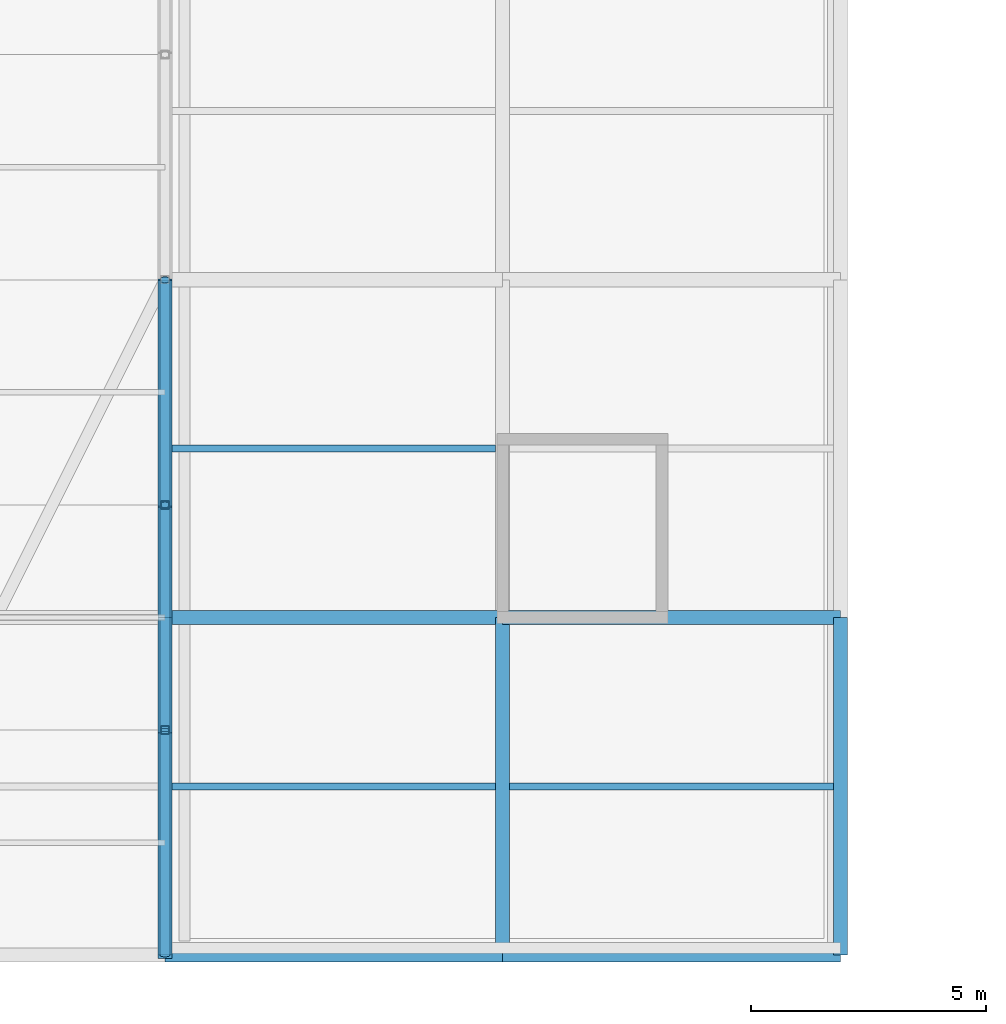
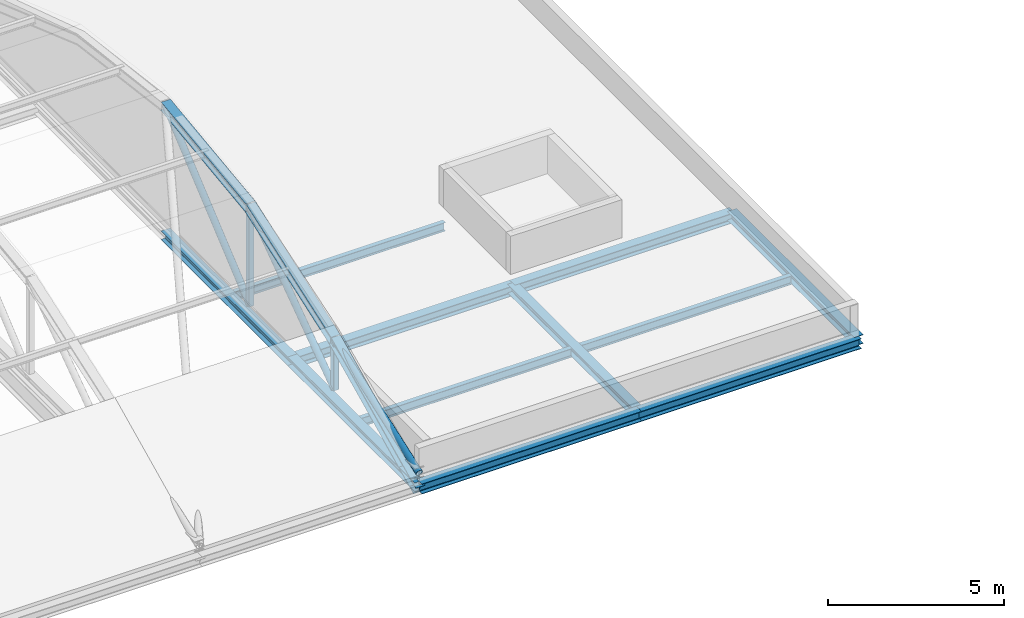
# One storey, part 26 of 103: 11 beams, 8 members.
"""IFC4 building model written with IfcOpenShell, lengths in metres."""

from ifc_helpers import new_model, si_unit, direction, frame, origin, origin_2d, place, context, subcontext, project, spatial, hollow_rectangle, hollow_circle, i_section, extrude, material, material_profile, profile_set, type_object, element, save


model = new_model("IFC4")

# Units and contexts
model_context = context("Model", 3, precision=1e-05, world=origin(), true_north=direction((0.0, 1.0)))
body_context = subcontext(model_context, "Body", "Model", "MODEL_VIEW")
ifc_project = project(units=[si_unit("LENGTHUNIT", "METRE"), si_unit("AREAUNIT", "SQUARE_METRE"), si_unit("VOLUMEUNIT", "CUBIC_METRE"), si_unit("PLANEANGLEUNIT", "RADIAN"), si_unit("MASSUNIT", "GRAM", prefix="KILO")], contexts=[model_context])

# Site, building, storey
site_placement = place(None, origin())
site = spatial("IfcSite", under=ifc_project, at=site_placement, CompositionType="ELEMENT")
building_placement = place(site_placement, origin())
building = spatial("IfcBuilding", under=site, at=building_placement, Name="Zlatovets Crest Museum", CompositionType="ELEMENT")
storey_placement = place(building_placement, frame((0.0, 0.0, 12.89990234375)))
storey = spatial("IfcBuildingStorey", under=building, at=storey_placement, Name="L03", CompositionType="ELEMENT", Elevation=12.89990234375)

# Beams
ifc_material = material(Name="Structural steel S355J2", Category="steel")
ifc_material_profile_1 = material_profile(ifc_material, i_section(OverallWidth=0.300048828125, OverallDepth=0.35009765625, WebThickness=0.010009765625, FlangeThickness=0.017578125, FilletRadius=0.027099609375, at=origin_2d()), Name="HEA 360")
ifc_profile_set_1 = profile_set([ifc_material_profile_1], Name="Structural steel S355J2")
beam_type_1 = type_object("IfcBeamType", Name="Beam_B-03", PredefinedType="BEAM", material=ifc_profile_set_1)
for number, where, z_axis, x_axis, name in (
    (1, (28.800048828125, 0.0, -0.39501953125), (1.0, 0.0, 0.0), (0.0, 1.0, 0.0), "V3 L03 Primary Girder B-03"),
    (2, (36.0, 0.0, -0.39501953125), (1.0, 0.0, 0.0), (0.0, 1.0, 0.0), "V3 L03 Primary Girder B-03"),
    (3, (28.800048828125, 7.199951171875, -0.39501953125), (1.0, 0.0, 0.0), (0.0, 1.0, 0.0), "V3 L03 Primary Girder B-03"),
    (4, (36.0, 7.199951171875, -0.39501953125), (1.0, 0.0, 0.0), (0.0, 1.0, 0.0), "V3 L03 Primary Girder B-03"),
):
    element("IfcBeam", number, at=place(storey_placement, frame(where, z_axis=z_axis, x_axis=x_axis)), inside=storey, type_object=beam_type_1, Name=name, PredefinedType="BEAM", context=body_context, shape_type="SweptSolid", body=[
        extrude(i_section(OverallWidth=0.300048828125, OverallDepth=0.35009765625, WebThickness=0.010009765625, FlangeThickness=0.017578125, FilletRadius=0.027099609375, at=origin_2d()), origin(), (0.0, 0.0, 1.0), 7.199951171875),
    ])
ifc_material_profile_2 = material_profile(ifc_material, i_section(OverallWidth=0.300048828125, OverallDepth=0.31005859375, WebThickness=0.009033203125, FlangeThickness=0.015380859375, FilletRadius=0.027099609375, at=origin_2d()), Name="HEA 320")
ifc_profile_set_2 = profile_set([ifc_material_profile_2], Name="Structural steel S355J2")
beam_type_2 = type_object("IfcBeamType", Name="Beam_B-04", PredefinedType="BEAM", material=ifc_profile_set_2)
for number, where, z_axis, x_axis, name in (
    (5, (28.800048828125, 0.0, -0.375), (0.0, 1.0, 0.0), (-1.0, 0.0, 0.0), "V3 L03 Grid Beam B-04"),
    (6, (28.800048828125, 7.199951171875, -0.375), (0.0, 1.0, 0.0), (-1.0, 0.0, 0.0), "V3 L03 Grid Beam B-04"),
    (7, (36.0, 0.0, -0.375), (0.0, 1.0, 0.0), (-1.0, 0.0, 0.0), "V3 L03 Grid Beam B-04"),
    (8, (43.199951171875, 0.0, -0.375), (0.0, 1.0, 0.0), (-1.0, 0.0, 0.0), "V3 L03 Grid Beam B-04"),
):
    element("IfcBeam", number, at=place(storey_placement, frame(where, z_axis=z_axis, x_axis=x_axis)), inside=storey, type_object=beam_type_2, Name=name, PredefinedType="BEAM", context=body_context, shape_type="SweptSolid", body=[
        extrude(i_section(OverallWidth=0.300048828125, OverallDepth=0.31005859375, WebThickness=0.009033203125, FlangeThickness=0.015380859375, FilletRadius=0.027099609375, at=origin_2d()), origin(), (0.0, 0.0, 1.0), 7.199951171875),
    ])
ifc_material_profile_3 = material_profile(ifc_material, i_section(OverallWidth=0.14990234375, OverallDepth=0.300048828125, WebThickness=0.007080078125, FlangeThickness=0.0107421875, FilletRadius=0.014892578125, at=origin_2d()), Name="IPE 300")
ifc_profile_set_3 = profile_set([ifc_material_profile_3], Name="Structural steel S355J2")
beam_type_3 = type_object("IfcBeamType", Name="Beam_J-02", PredefinedType="JOIST", material=ifc_profile_set_3)
for number, where, z_axis, x_axis, name in (
    (9, (28.949951171875, 3.60009765625, -0.369873046875), (1.0, 0.0, 0.0), (0.0, 1.0, 0.0), "V3 L03 Composite Joist J-02"),
    (10, (28.949951171875, 10.800048828125, -0.369873046875), (1.0, 0.0, 0.0), (0.0, 1.0, 0.0), "V3 L03 Composite Joist J-02"),
    (11, (36.14990234375, 3.60009765625, -0.369873046875), (1.0, 0.0, 0.0), (0.0, 1.0, 0.0), "V3 L03 Composite Joist J-02"),
):
    element("IfcBeam", number, at=place(storey_placement, frame(where, z_axis=z_axis, x_axis=x_axis)), inside=storey, type_object=beam_type_3, Name=name, PredefinedType="JOIST", context=body_context, shape_type="SweptSolid", body=[
        extrude(i_section(OverallWidth=0.14990234375, OverallDepth=0.300048828125, WebThickness=0.007080078125, FlangeThickness=0.0107421875, FilletRadius=0.014892578125, at=origin_2d()), origin(), (0.0, 0.0, 1.0), 6.900146484375),
    ])

# Members
ifc_material_profile_4 = material_profile(ifc_material, i_section(OverallWidth=0.300048828125, OverallDepth=0.31005859375, WebThickness=0.009033203125, FlangeThickness=0.015380859375, FilletRadius=0.027099609375, at=origin_2d()), Name="HEA 320")
ifc_profile_set_4 = profile_set([ifc_material_profile_4], Name="Structural steel S355J2")
member_type_1 = type_object("IfcMemberType", Name="Member_TM-02", PredefinedType="RAFTER", material=ifc_profile_set_4)
member_1_placement = place(storey_placement, frame((28.800048828125, 0.0, -0.5), z_axis=(0.0, 0.901814166789, 0.432124066188), x_axis=(-1.0, 0.0, 0.0)))
element("IfcMember", 12, at=member_1_placement, inside=storey, type_object=member_type_1, Name="V3 Art Nouveau Curved Vault Rib", PredefinedType="RAFTER", context=body_context, shape_type="SweptSolid", body=[
    extrude(i_section(OverallWidth=0.300048828125, OverallDepth=0.31005859375, WebThickness=0.009033203125, FlangeThickness=0.015380859375, FilletRadius=0.027099609375, at=origin_2d()), origin(), (0.0, 0.0, 1.0), 5.32275390625),
])
member_2_placement = place(storey_placement, frame((28.800048828125, 4.800048828125, 1.800048828125), z_axis=(0.0, 0.943623917832, 0.331019488393), x_axis=(-1.0, 0.0, 0.0)))
element("IfcMember", 13, at=member_2_placement, inside=storey, type_object=member_type_1, Name="V3 Art Nouveau Curved Vault Rib", PredefinedType="RAFTER", context=body_context, shape_type="SweptSolid", body=[
    extrude(i_section(OverallWidth=0.300048828125, OverallDepth=0.31005859375, WebThickness=0.009033203125, FlangeThickness=0.015380859375, FilletRadius=0.027099609375, at=origin_2d()), origin(), (0.0, 0.0, 1.0), 5.0869140625),
])
member_3_placement = place(storey_placement, frame((28.800048828125, 9.60009765625, 3.48388671875), z_axis=(0.0, 0.991859459137, 0.127337399535), x_axis=(-1.0, 0.0, 0.0)))
element("IfcMember", 14, at=member_3_placement, inside=storey, type_object=member_type_1, Name="V3 Art Nouveau Curved Vault Rib", PredefinedType="RAFTER", context=body_context, shape_type="SweptSolid", body=[
    extrude(i_section(OverallWidth=0.300048828125, OverallDepth=0.31005859375, WebThickness=0.009033203125, FlangeThickness=0.015380859375, FilletRadius=0.027099609375, at=origin_2d()), origin(), (0.0, 0.0, 1.0), 4.839111328125),
])
ifc_material_profile_5 = material_profile(ifc_material, hollow_rectangle(XDim=0.179931640625, YDim=0.179931640625, WallThickness=0.010009765625, InnerFilletRadius=0.010009765625, OuterFilletRadius=0.02001953125, at=origin_2d()), Name="SHS 180x180x10.0")
ifc_profile_set_5 = profile_set([ifc_material_profile_5], Name="Structural steel S355J2")
member_type_2 = type_object("IfcMemberType", Name="Member_TM-04", PredefinedType="STRUT", material=ifc_profile_set_5)
member_4_placement = place(storey_placement, frame((28.800048828125, 4.800048828125, 0.080078125), z_axis=(0.0, 0.0, 1.0), x_axis=(1.0, 0.0, 0.0)))
element("IfcMember", 15, at=member_4_placement, inside=storey, type_object=member_type_2, Name="V3 Barrel Vault Web Strut", PredefinedType="STRUT", context=body_context, shape_type="SweptSolid", body=[
    extrude(hollow_rectangle(XDim=0.179931640625, YDim=0.179931640625, WallThickness=0.010009765625, InnerFilletRadius=0.010009765625, OuterFilletRadius=0.02001953125, at=origin_2d()), origin(), (0.0, 0.0, 1.0), 1.719970703125),
])
member_5_placement = place(storey_placement, frame((28.800048828125, 9.60009765625, 0.080078125), z_axis=(0.0, 0.0, 1.0), x_axis=(1.0, 0.0, 0.0)))
element("IfcMember", 16, at=member_5_placement, inside=storey, type_object=member_type_2, Name="V3 Barrel Vault Web Strut", PredefinedType="STRUT", context=body_context, shape_type="SweptSolid", body=[
    extrude(hollow_rectangle(XDim=0.179931640625, YDim=0.179931640625, WallThickness=0.010009765625, InnerFilletRadius=0.010009765625, OuterFilletRadius=0.02001953125, at=origin_2d()), origin(), (0.0, 0.0, 1.0), 3.40380859375),
])
ifc_material_profile_6 = material_profile(ifc_material, hollow_circle(Radius=0.109619140625, WallThickness=0.010009765625, at=origin_2d()), Name="CHS 219.1x10.0")
ifc_profile_set_6 = profile_set([ifc_material_profile_6], Name="Structural steel S355J2")
member_type_3 = type_object("IfcMemberType", Name="Member_TM-05", PredefinedType="BRACE", material=ifc_profile_set_6)
member_6_placement = place(storey_placement, frame((28.800048828125, 0.0, 0.080078125), z_axis=(0.0, 0.941389329103, 0.337321999061), x_axis=(-1.0, 0.0, 0.0)))
element("IfcMember", 17, at=member_6_placement, inside=storey, type_object=member_type_3, Name="V3 Barrel Vault Web Diagonal", PredefinedType="BRACE", context=body_context, shape_type="SweptSolid", body=[
    extrude(hollow_circle(Radius=0.109619140625, WallThickness=0.010009765625, at=origin_2d()), origin(), (0.0, 0.0, 1.0), 5.098876953125),
])
member_7_placement = place(storey_placement, frame((28.800048828125, 4.800048828125, 0.080078125), z_axis=(0.0, 0.815721856917, 0.578444337986), x_axis=(-1.0, 0.0, 0.0)))
element("IfcMember", 18, at=member_7_placement, inside=storey, type_object=member_type_3, Name="V3 Barrel Vault Web Diagonal", PredefinedType="BRACE", context=body_context, shape_type="SweptSolid", body=[
    extrude(hollow_circle(Radius=0.109619140625, WallThickness=0.010009765625, at=origin_2d()), origin(), (0.0, 0.0, 1.0), 5.884521484375),
])
member_8_placement = place(storey_placement, frame((28.800048828125, 9.60009765625, 0.080078125), z_axis=(0.0, 0.76663357033, 0.642084861091), x_axis=(-1.0, 0.0, 0.0)))
element("IfcMember", 19, at=member_8_placement, inside=storey, type_object=member_type_3, Name="V3 Barrel Vault Web Diagonal", PredefinedType="BRACE", context=body_context, shape_type="SweptSolid", body=[
    extrude(hollow_circle(Radius=0.109619140625, WallThickness=0.010009765625, at=origin_2d()), origin(), (0.0, 0.0, 1.0), 6.260986328125),
])

save(model, "model.ifc")
